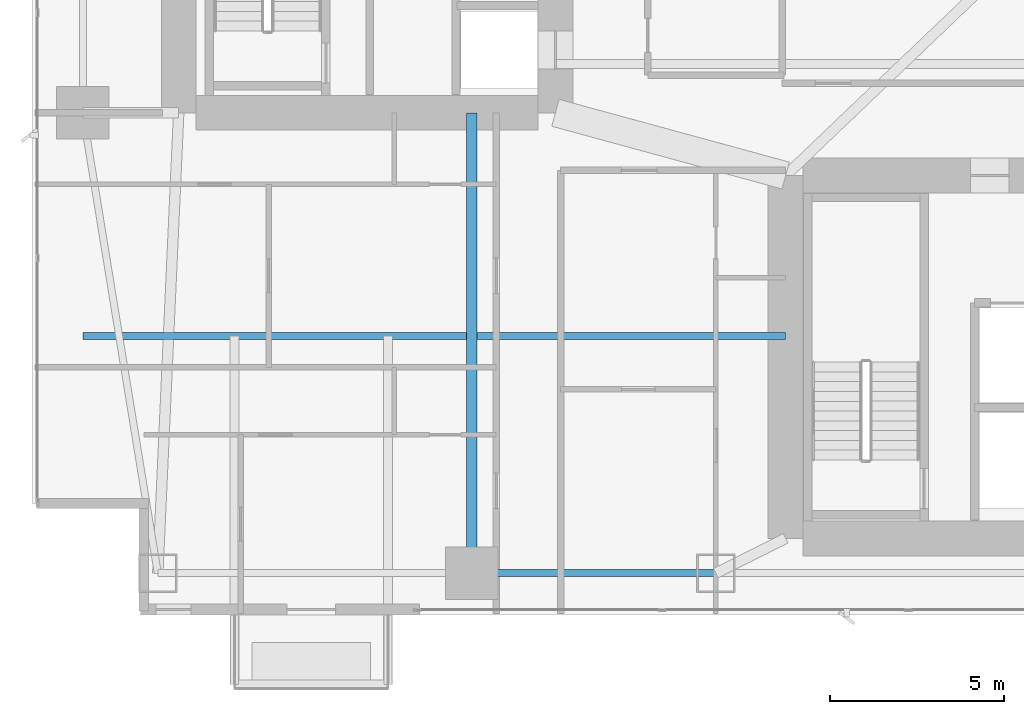
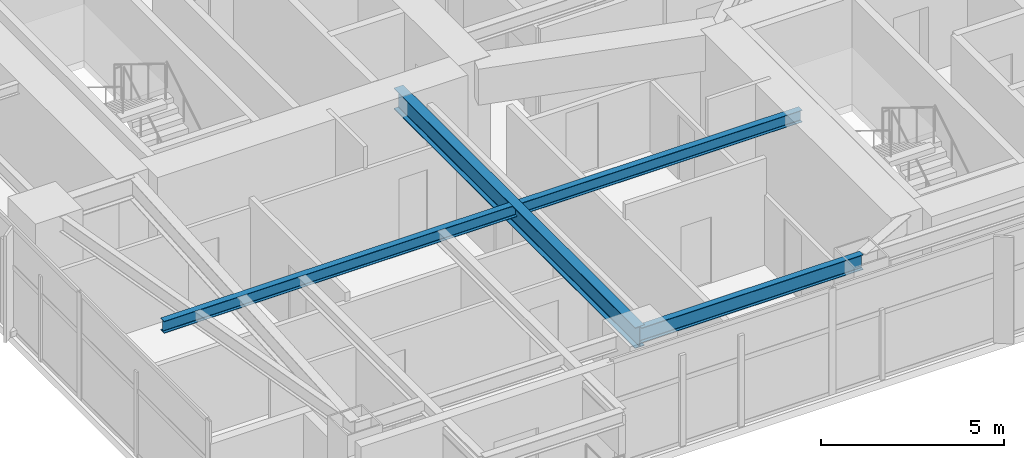
# One storey, part 5 of 29: 3 beams.
"""IFC4 building model written with IfcOpenShell, lengths in metres."""

from ifc_helpers import new_model, si_unit, direction, frame, origin, origin_2d, place, context, subcontext, project, spatial, i_section, extrude, material, material_profile, profile_set, type_object, element, save


model = new_model("IFC4")

# Units and contexts
model_context = context("Model", 3, precision=1e-05, world=origin(), true_north=direction((0.0, 1.0)))
body_context = subcontext(model_context, "Body", "Model", "MODEL_VIEW")
ifc_project = project(units=[si_unit("LENGTHUNIT", "METRE"), si_unit("AREAUNIT", "SQUARE_METRE"), si_unit("VOLUMEUNIT", "CUBIC_METRE"), si_unit("PLANEANGLEUNIT", "RADIAN"), si_unit("MASSUNIT", "GRAM", prefix="KILO")], contexts=[model_context])

# Site, building, storey
site_placement = place(None, origin())
site = spatial("IfcSite", under=ifc_project, at=site_placement, CompositionType="ELEMENT")
building_placement = place(site_placement, origin())
building = spatial("IfcBuilding", under=site, at=building_placement, Name="Calvorn Quay Hotel", CompositionType="ELEMENT")
storey_placement = place(building_placement, frame((0.0, 0.0, 34.60009765625)))
storey = spatial("IfcBuildingStorey", under=building, at=storey_placement, Name="L07", CompositionType="ELEMENT", Elevation=34.60009765625)

# Beams
ifc_material_1 = material(Name="Steel Q390GJC", Category="steel")
ifc_material_profile_1 = material_profile(ifc_material_1, i_section(OverallWidth=0.300048828125, OverallDepth=0.699951171875, WebThickness=0.012939453125, FlangeThickness=0.02392578125, FilletRadius=0.02392578125, at=origin_2d()), Name="HN700x300x13x24")
ifc_profile_set_1 = profile_set([ifc_material_profile_1], Name="Steel Q390GJC")
beam_type_1 = type_object("IfcBeamType", Name="BM-GIRD-MAIN", PredefinedType="BEAM", material=ifc_profile_set_1)
beam_1_placement = place(storey_placement, frame((12.60009765625, 3.60009765625, 3.18994140625), z_axis=(0.0, 1.0, 0.0), x_axis=(-1.0, 0.0, 0.0)))
element("IfcBeam", 1, at=beam_1_placement, inside=storey, type_object=beam_type_1, Name="Beam BG-L07-S1", PredefinedType="BEAM", context=body_context, shape_type="SweptSolid", body=[
    extrude(i_section(OverallWidth=0.300048828125, OverallDepth=0.699951171875, WebThickness=0.012939453125, FlangeThickness=0.02392578125, FilletRadius=0.02392578125, at=origin_2d()), origin(), (0.0, 0.0, 1.0), 13.199951171875),
])
ifc_material_2 = material(Name="Steel Q355B", Category="steel")
ifc_material_profile_2 = material_profile(ifc_material_2, i_section(OverallWidth=0.199951171875, OverallDepth=0.39990234375, WebThickness=0.008056640625, FlangeThickness=0.012939453125, FilletRadius=0.01611328125, at=origin_2d()), Name="HN400x200x8x13")
ifc_profile_set_2 = profile_set([ifc_material_profile_2], Name="Steel Q355B")
beam_type_2 = type_object("IfcBeamType", Name="BM-JOIST-TYP", PredefinedType="JOIST", material=ifc_profile_set_2)
beam_2_placement = place(storey_placement, frame((1.449951171875, 10.39990234375, 3.33984375), z_axis=(1.0, 0.0, 0.0), x_axis=(0.0, 1.0, 0.0)))
element("IfcBeam", 2, at=beam_2_placement, inside=storey, type_object=beam_type_2, Name="Beam BJ-L07-W1", PredefinedType="JOIST", context=body_context, shape_type="SweptSolid", body=[
    extrude(i_section(OverallWidth=0.199951171875, OverallDepth=0.39990234375, WebThickness=0.008056640625, FlangeThickness=0.012939453125, FilletRadius=0.01611328125, at=origin_2d()), origin(), (0.0, 0.0, 1.0), 20.150146484375),
])
ifc_material_3 = material(Name="Steel Q355B", Category="steel")
ifc_material_profile_3 = material_profile(ifc_material_3, i_section(OverallWidth=0.199951171875, OverallDepth=0.5, WebThickness=0.010009765625, FlangeThickness=0.01611328125, FilletRadius=0.01611328125, at=origin_2d()), Name="HN500x200x10x16")
ifc_profile_set_3 = profile_set([ifc_material_profile_3], Name="Steel Q355B")
beam_type_3 = type_object("IfcBeamType", Name="BM-SPANDREL-Z1", PredefinedType="SPANDREL", material=ifc_profile_set_3)
beam_3_placement = place(storey_placement, frame((12.60009765625, 3.60009765625, 3.289794921875), z_axis=(1.0, 0.0, 0.0), x_axis=(0.0, 1.0, 0.0)))
element("IfcBeam", 3, at=beam_3_placement, inside=storey, type_object=beam_type_3, Name="Beam BSP-L07-S2", PredefinedType="SPANDREL", context=body_context, shape_type="SweptSolid", body=[
    extrude(i_section(OverallWidth=0.199951171875, OverallDepth=0.5, WebThickness=0.010009765625, FlangeThickness=0.01611328125, FilletRadius=0.01611328125, at=origin_2d()), origin(), (0.0, 0.0, 1.0), 7.0),
])

save(model, "model.ifc")
